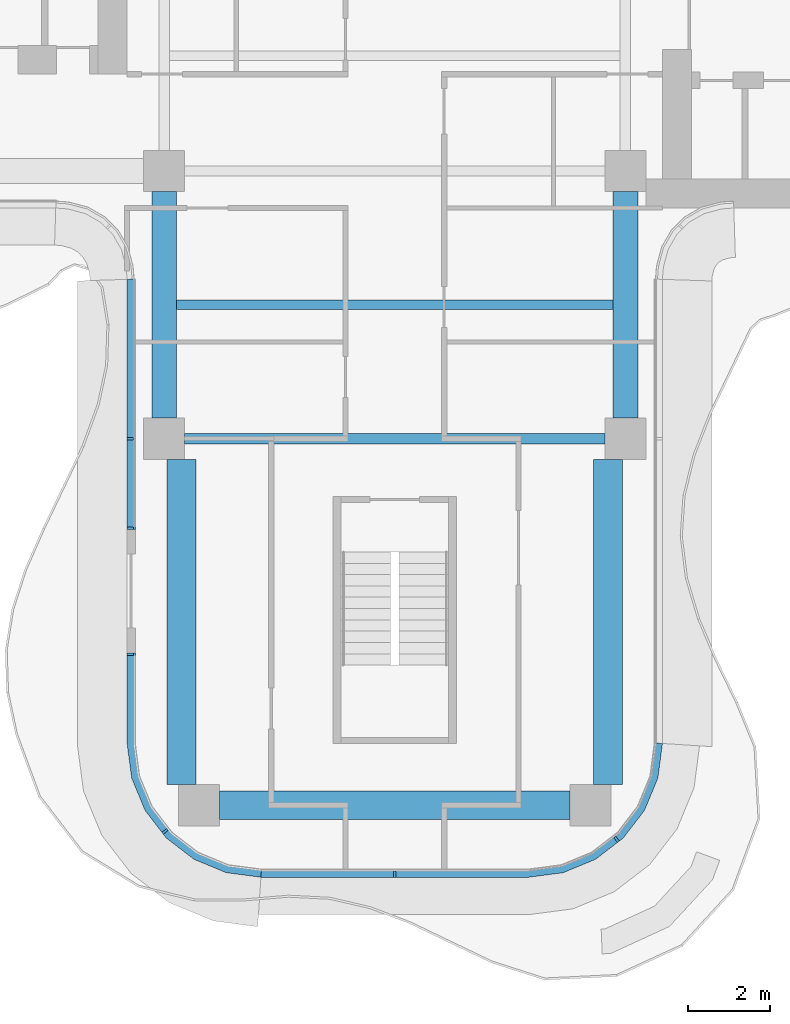
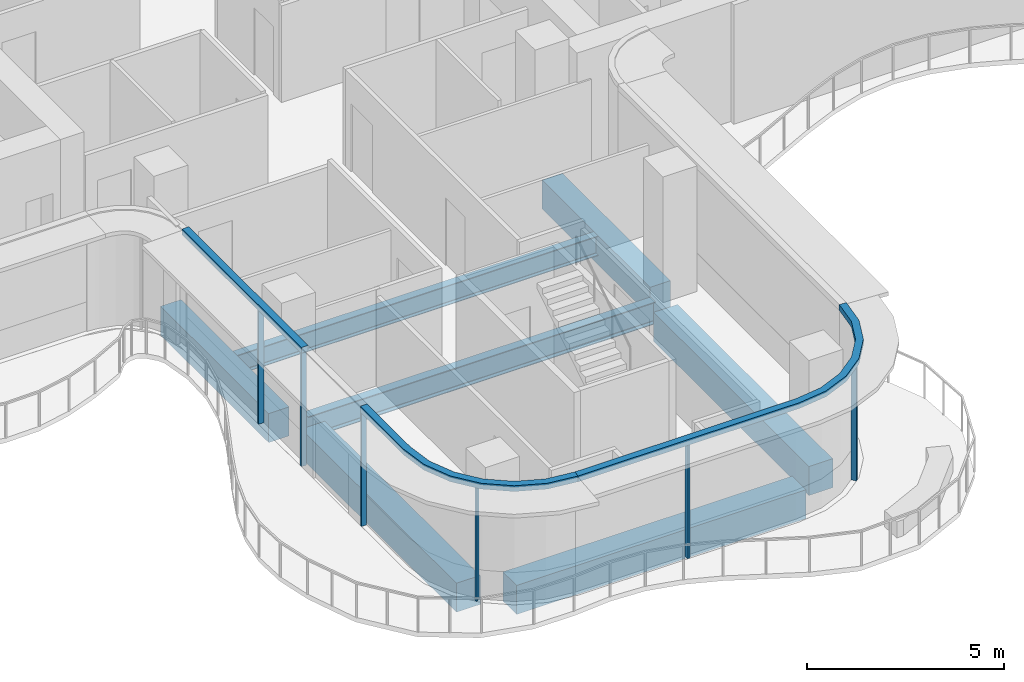
# One storey, part 2 of 16: 9 members, 7 beams, 3 elements without a shape of their own.
"""IFC4 building model written with IfcOpenShell, lengths in metres."""

from ifc_helpers import new_model, si_unit, direction, frame, origin, origin_2d, place, context, subcontext, project, spatial, polyline, rectangle, i_section, outline, extrude, source, transform, mapped, material, layer, layer_set, material_profile, profile_set, type_object, element, aggregate, save


model = new_model("IFC4")

# Units and contexts
model_context = context("Model", 3, precision=1e-05, world=origin(), true_north=direction((0.0, 1.0)))
body_context = subcontext(model_context, "Body", "Model", "MODEL_VIEW")
ifc_project = project(units=[si_unit("LENGTHUNIT", "METRE"), si_unit("AREAUNIT", "SQUARE_METRE"), si_unit("VOLUMEUNIT", "CUBIC_METRE"), si_unit("PLANEANGLEUNIT", "RADIAN"), si_unit("MASSUNIT", "GRAM", prefix="KILO")], contexts=[model_context])

# Site, building, storey
site_placement = place(None, origin())
site = spatial("IfcSite", under=ifc_project, at=site_placement, CompositionType="ELEMENT")
building_placement = place(site_placement, origin())
building = spatial("IfcBuilding", under=site, at=building_placement, Name="Trellis Farm Tower", CompositionType="ELEMENT")
storey_placement = place(building_placement, frame((0.0, 0.0, 302.800048828125)))
storey = spatial("IfcBuildingStorey", under=building, at=storey_placement, Name="L68", CompositionType="ELEMENT", Elevation=302.800048828125)

# Beams
ifc_material_1 = material(Name="Steel S355", Category="steel")
ifc_material_profile_1 = material_profile(ifc_material_1, i_section(OverallWidth=0.22900390625, OverallDepth=0.6123046875, WebThickness=0.011962890625, FlangeThickness=0.01953125, FilletRadius=0.0126953125, at=origin_2d()), Name="UB 610x229x125")
ifc_profile_set_1 = profile_set([ifc_material_profile_1], Name="Steel S355")
beam_type_1 = type_object("IfcBeamType", Name="UB 610x229x125 joist", PredefinedType="JOIST", material=ifc_profile_set_1)
shared_shape_1 = source(origin(), body_context, "Body", "SweptSolid", [
    extrude(i_section(OverallWidth=0.22900390625, OverallDepth=0.6123046875, WebThickness=0.011962890625, FlangeThickness=0.01953125, FilletRadius=0.0126953125, at=origin_2d()), origin(), (0.0, 0.0, 1.0), 10.60009765625),
])
beam_1_placement = place(storey_placement, frame((-5.300048828125, -8.85009765625, -0.506103515625), z_axis=(1.0, 0.0, 0.0), x_axis=(0.0, 1.0, 0.0)))
element("IfcBeam", 1, at=beam_1_placement, inside=storey, type_object=beam_type_1, Name="Floor beam", PredefinedType="JOIST", context=body_context, shape_type="MappedRepresentation", body=[
    mapped(shared_shape_1, transform((0.0, 0.0, 0.0))),
])
ifc_material_profile_2 = material_profile(ifc_material_1, i_section(OverallWidth=0.253662109375, OverallDepth=0.68359375, WebThickness=0.012451171875, FlangeThickness=0.021728515625, FilletRadius=0.01513671875, at=origin_2d()), Name="UB 686x254x140")
ifc_profile_set_2 = profile_set([ifc_material_profile_2], Name="Steel S355")
beam_type_2 = type_object("IfcBeamType", Name="UB 686x254x140", PredefinedType="BEAM", material=ifc_profile_set_2)
shared_shape_2 = source(origin(), body_context, "Body", "SweptSolid", [
    extrude(i_section(OverallWidth=0.253662109375, OverallDepth=0.68359375, WebThickness=0.012451171875, FlangeThickness=0.021728515625, FilletRadius=0.01513671875, at=origin_2d()), origin(), (0.0, 0.0, 1.0), 10.2001953125),
])
beam_2_placement = place(storey_placement, frame((-5.10009765625, -12.10009765625, -0.541748046875), z_axis=(1.0, 0.0, 0.0), x_axis=(0.0, 1.0, 0.0)))
element("IfcBeam", 2, at=beam_2_placement, inside=storey, type_object=beam_type_2, Name="Girder", PredefinedType="BEAM", context=body_context, shape_type="MappedRepresentation", body=[
    mapped(shared_shape_2, transform((0.0, 0.0, 0.0))),
])
ifc_material_2 = material(Name="Concrete C60/75", Category="concrete")
ifc_material_profile_3 = material_profile(ifc_material_2, rectangle(XDim=0.60009765625, YDim=0.89990234375, at=origin_2d()), Name="RC spandrel beam 600x900 C60/75")
ifc_profile_set_3 = profile_set([ifc_material_profile_3], Name="Concrete C60/75")
beam_type_3 = type_object("IfcBeamType", Name="RC spandrel beam 600x900 C60/75", PredefinedType="SPANDREL", material=ifc_profile_set_3)
shared_shape_3 = source(origin(), body_context, "Body", "SweptSolid", [
    extrude(rectangle(XDim=0.60009765625, YDim=0.89990234375, at=origin_2d()), origin(), (0.0, 0.0, 1.0), 5.5),
])
for number, where, z_axis, x_axis, name in (
    (3, (-5.60009765625, -11.60009765625, -0.650146484375), (0.0, 1.0, 0.0), (-1.0, 0.0, 0.0), "Girder"),
    (4, (5.60009765625, -11.60009765625, -0.650146484375), (0.0, 1.0, 0.0), (-1.0, 0.0, 0.0), "Girder"),
):
    element("IfcBeam", number, at=place(storey_placement, frame(where, z_axis=z_axis, x_axis=x_axis)), inside=storey, type_object=beam_type_3, Name=name, PredefinedType="SPANDREL", context=body_context, shape_type="MappedRepresentation", body=[
        mapped(shared_shape_3, transform((0.0, 0.0, 0.0))),
    ])
ifc_material_profile_4 = material_profile(ifc_material_2, rectangle(XDim=0.699951171875, YDim=0.89990234375, at=origin_2d()), Name="RC spandrel beam 700x900 C60/75")
ifc_profile_set_4 = profile_set([ifc_material_profile_4], Name="Concrete C60/75")
beam_type_4 = type_object("IfcBeamType", Name="RC spandrel beam 700x900 C60/75", PredefinedType="SPANDREL", material=ifc_profile_set_4)
shared_shape_4 = source(origin(), body_context, "Body", "SweptSolid", [
    extrude(rectangle(XDim=0.699951171875, YDim=0.89990234375, at=origin_2d()), origin(), (0.0, 0.0, 1.0), 8.5),
])
beam_3_placement = place(storey_placement, frame((-4.25, -21.0, -0.650146484375), z_axis=(1.0, 0.0, 0.0), x_axis=(0.0, 1.0, 0.0)))
element("IfcBeam", 5, at=beam_3_placement, inside=storey, type_object=beam_type_4, Name="Girder", PredefinedType="SPANDREL", context=body_context, shape_type="MappedRepresentation", body=[
    mapped(shared_shape_4, transform((0.0, 0.0, 0.0))),
])
shared_shape_5 = source(origin(), body_context, "Body", "SweptSolid", [
    extrude(rectangle(XDim=0.699951171875, YDim=0.89990234375, at=origin_2d()), origin(), (0.0, 0.0, 1.0), 7.89990234375),
])
for number, where, z_axis, x_axis, name in (
    (6, (-5.175048828125, -20.5, -0.650146484375), (0.0, 1.0, 0.0), (-1.0, 0.0, 0.0), "Girder"),
    (7, (5.175048828125, -20.5, -0.650146484375), (0.0, 1.0, 0.0), (-1.0, 0.0, 0.0), "Girder"),
):
    element("IfcBeam", number, at=place(storey_placement, frame(where, z_axis=z_axis, x_axis=x_axis)), inside=storey, type_object=beam_type_4, Name=name, PredefinedType="SPANDREL", context=body_context, shape_type="MappedRepresentation", body=[
        mapped(shared_shape_5, transform((0.0, 0.0, 0.0))),
    ])

# Curtain wall, members
ifc_material_3 = material(Name="Aluminium and glass curtain wall", Category="aluminium")
ifc_layer_1 = layer(ifc_material_3, 0.18994140625)
ifc_layer_set_1 = layer_set([ifc_layer_1], Name="RIBBON CURTAIN WALL CW1")
curtain_wall_type = type_object("IfcCurtainWallType", Name="RIBBON CURTAIN WALL CW1", PredefinedType="NOTDEFINED", material=ifc_layer_set_1)
placement_1 = place(storey_placement, origin())
curtain_wall_1 = element("IfcCurtainWall", 8, at=placement_1, inside=storey, type_object=curtain_wall_type, Name="CW1 002", PredefinedType="NOTDEFINED")
ifc_material_4 = material(Name="Aluminium extrusion 6063-T6", Category="aluminium")
ifc_material_profile_5 = material_profile(ifc_material_4, rectangle(XDim=0.06005859375, YDim=0.14990234375, at=origin_2d()), Name="MULLION 60x150")
ifc_profile_set_5 = profile_set([ifc_material_profile_5], Name="Aluminium extrusion 6063-T6")
member_type_1 = type_object("IfcMemberType", Name="CW1 MULLION 60x150", PredefinedType="MULLION", material=ifc_profile_set_5)
shared_shape_6 = source(origin(), body_context, "Body", "SweptSolid", [
    extrude(rectangle(XDim=0.06005859375, YDim=0.14990234375, at=origin_2d()), origin(), (0.0, 0.0, 1.0), 3.52001953125),
])
member_1_placement = place(storey_placement, frame((-6.425048828125, -12.10009765625, 0.0), z_axis=(0.0, 0.0, 1.0), x_axis=(0.0, -1.0, 0.0)))
member_1 = element("IfcMember", 9, at=member_1_placement, type_object=member_type_1, Name="MU1 002-01", PredefinedType="MULLION", context=body_context, shape_type="MappedRepresentation", body=[
    mapped(shared_shape_6, transform((0.0, 0.0, 0.0))),
])
member_2_placement = place(storey_placement, frame((-6.425048828125, -14.27001953125, 0.0), z_axis=(0.0, 0.0, 1.0), x_axis=(0.0, -1.0, 0.0)))
member_2 = element("IfcMember", 10, at=member_2_placement, type_object=member_type_1, Name="MU1 002-02", PredefinedType="MULLION", context=body_context, shape_type="MappedRepresentation", body=[
    mapped(shared_shape_6, transform((0.0, 0.0, 0.0))),
])

curtain_wall_2 = element("IfcCurtainWall", 11, at=placement_1, inside=storey, type_object=curtain_wall_type, Name="CW1 003", PredefinedType="NOTDEFINED")
member_3_placement = place(storey_placement, frame((-6.425048828125, -17.330078125, 0.0), z_axis=(0.0, 0.0, 1.0), x_axis=(0.0, -1.0, 0.0)))
member_3 = element("IfcMember", 12, at=member_3_placement, type_object=member_type_1, Name="MU1 003-01", PredefinedType="MULLION", context=body_context, shape_type="MappedRepresentation", body=[
    mapped(shared_shape_6, transform((0.0, 0.0, 0.0))),
])
member_4_placement = place(storey_placement, frame((-5.578369140625, -21.635498046875, 0.0), z_axis=(0.0, 0.0, 1.0), x_axis=(0.608761429009, -0.793353340291, 0.0)))
member_4 = element("IfcMember", 13, at=member_4_placement, type_object=member_type_1, Name="MU1 003-02", PredefinedType="MULLION", context=body_context, shape_type="MappedRepresentation", body=[
    mapped(shared_shape_6, transform((0.0, 0.0, 0.0))),
])

curtain_wall_3 = element("IfcCurtainWall", 14, at=placement_1, inside=storey, type_object=curtain_wall_type, Name="CW1 004", PredefinedType="NOTDEFINED")
member_5_placement = place(storey_placement, frame((0.0, -22.675048828125, 0.0), z_axis=(0.0, 0.0, 1.0), x_axis=(1.0, 0.0, 0.0)))
member_5 = element("IfcMember", 15, at=member_5_placement, type_object=member_type_1, Name="MU1 004-01", PredefinedType="MULLION", context=body_context, shape_type="MappedRepresentation", body=[
    mapped(shared_shape_6, transform((0.0, 0.0, 0.0))),
])
member_6_placement = place(storey_placement, frame((5.385498046875, -21.828369140625, 0.0), z_axis=(0.0, 0.0, 1.0), x_axis=(0.793353340291, 0.608761429009, 0.0)))
member_6 = element("IfcMember", 16, at=member_6_placement, type_object=member_type_1, Name="MU1 004-02", PredefinedType="MULLION", context=body_context, shape_type="MappedRepresentation", body=[
    mapped(shared_shape_6, transform((0.0, 0.0, 0.0))),
])
ifc_layer_2 = layer(ifc_material_4, 0.199951171875)
ifc_layer_set_2 = layer_set([ifc_layer_2], Name="Aluminium extrusion 6063-T6")
member_type_2 = type_object("IfcMemberType", Name="CW1 TRANSOM 200x180", PredefinedType="USERDEFINED", material=ifc_layer_set_2)
shared_shape_7 = source(origin(), body_context, "Body", "SweptSolid", [
    extrude(outline(polyline([(-3.25, -22.75), (3.25, -22.75), (4.091064453125, -22.63916015625), (4.875, -22.314697265625), (5.548095703125, -21.798095703125), (6.064697265625, -21.125), (6.38916015625, -20.341064453125), (6.5, -19.5), (6.300048828125, -19.48681640625), (6.1943359375, -20.2890625), (5.889892578125, -21.024169921875), (5.405517578125, -21.655517578125), (4.774169921875, -22.139892578125), (4.0390625, -22.4443359375), (3.23681640625, -22.550048828125), (-3.23681640625, -22.550048828125), (-3.25, -22.75)])), origin(), (0.0, 0.0, 1.0), 0.179931640625),
])
placement_2 = place(storey_placement, frame((0.0, 0.0, 3.52001953125)))
member_7 = element("IfcMember", 17, at=placement_2, type_object=member_type_2, Name="TR1 004", ObjectType="TRANSOM", PredefinedType="USERDEFINED", context=body_context, shape_type="MappedRepresentation", body=[
    mapped(shared_shape_7, transform((0.0, 0.0, 0.0))),
])
aggregate(curtain_wall_3, [member_5, member_6, member_7])

# Member
shared_shape_8 = source(origin(), body_context, "Body", "SweptSolid", [
    extrude(outline(polyline([(-6.5, -8.2314453125), (-6.5, -14.300048828125), (-6.300048828125, -14.300048828125), (-6.300048828125, -8.224853515625), (-6.5, -8.2314453125)])), origin(), (0.0, 0.0, 1.0), 0.179931640625),
])
member_8 = element("IfcMember", 18, at=placement_2, type_object=member_type_2, Name="TR1 002", ObjectType="TRANSOM", PredefinedType="USERDEFINED", context=body_context, shape_type="MappedRepresentation", body=[
    mapped(shared_shape_8, transform((0.0, 0.0, 0.0))),
])

aggregate(curtain_wall_1, [member_1, member_2, member_8])

shared_shape_9 = source(origin(), body_context, "Body", "SweptSolid", [
    extrude(outline(polyline([(-6.5, -17.300048828125), (-6.5, -19.5), (-6.38916015625, -20.341064453125), (-6.064697265625, -21.125), (-5.548095703125, -21.798095703125), (-4.875, -22.314697265625), (-4.091064453125, -22.63916015625), (-3.25, -22.75), (-3.23681640625, -22.550048828125), (-4.0390625, -22.4443359375), (-4.774169921875, -22.139892578125), (-5.405517578125, -21.655517578125), (-5.889892578125, -21.024169921875), (-6.1943359375, -20.2890625), (-6.300048828125, -19.48681640625), (-6.300048828125, -17.300048828125), (-6.5, -17.300048828125)])), origin(), (0.0, 0.0, 1.0), 0.179931640625),
])
member_9 = element("IfcMember", 19, at=placement_2, type_object=member_type_2, Name="TR1 003", ObjectType="TRANSOM", PredefinedType="USERDEFINED", context=body_context, shape_type="MappedRepresentation", body=[
    mapped(shared_shape_9, transform((0.0, 0.0, 0.0))),
])

aggregate(curtain_wall_2, [member_3, member_4, member_9])

save(model, "model.ifc")
